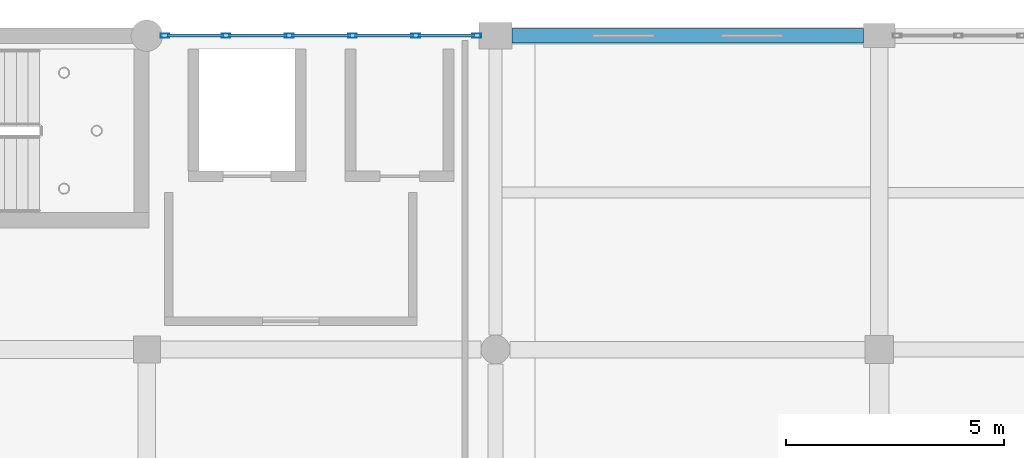
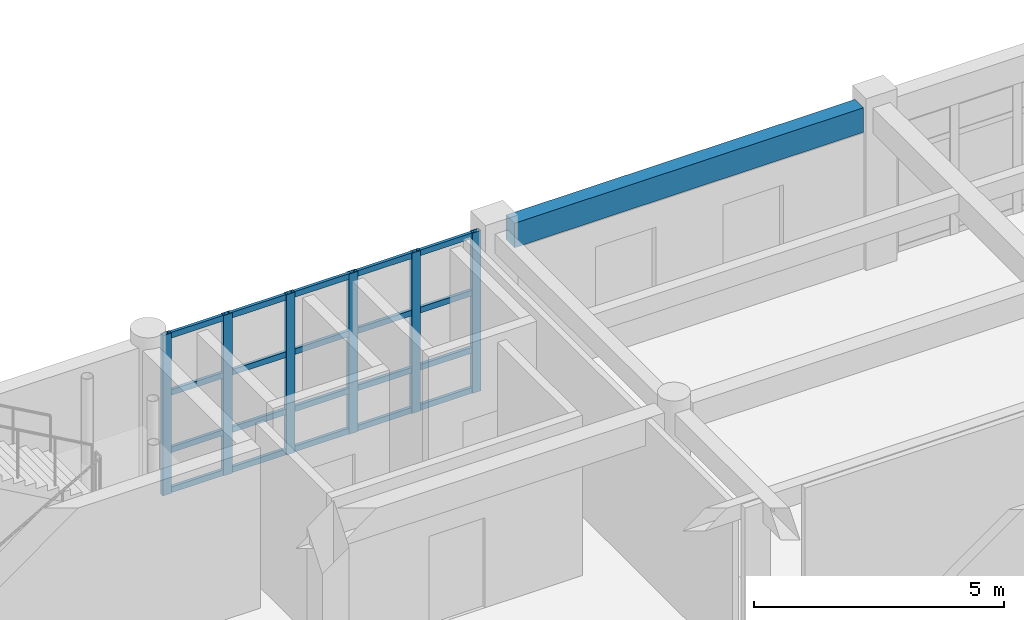
# One storey, part 117 of 195: 26 members, 1 beam, 1 element without a shape of its own.
"""IFC4 building model written with IfcOpenShell, lengths in metres."""

from ifc_helpers import new_model, si_unit, direction, frame, origin, origin_2d, place, context, subcontext, project, spatial, rectangle, hollow_rectangle, extrude, material, material_profile, profile_set, type_object, element, aggregate, save


model = new_model("IFC4")

# Units and contexts
model_context = context("Model", 3, precision=1e-05, world=origin(), true_north=direction((0.0, 1.0)))
body_context = subcontext(model_context, "Body", "Model", "MODEL_VIEW")
ifc_project = project(units=[si_unit("LENGTHUNIT", "METRE"), si_unit("AREAUNIT", "SQUARE_METRE"), si_unit("VOLUMEUNIT", "CUBIC_METRE"), si_unit("PLANEANGLEUNIT", "RADIAN"), si_unit("MASSUNIT", "GRAM", prefix="KILO")], contexts=[model_context])

# Site, building, storey
site_placement = place(None, origin())
site = spatial("IfcSite", under=ifc_project, at=site_placement, CompositionType="ELEMENT")
building_placement = place(site_placement, origin())
building = spatial("IfcBuilding", under=site, at=building_placement, Name="Kharva Crest Polytechnic", CompositionType="ELEMENT")
storey_placement = place(building_placement, frame((0.0, 0.0, 9.0)))
storey = spatial("IfcBuildingStorey", under=building, at=storey_placement, Name="L02", CompositionType="ELEMENT", Elevation=9.0)

# Curtain wall, members
ifc_material_1 = material(Name="Tempered insulated glass", Category="glass")
curtain_wall_type = type_object("IfcCurtainWallType", Name="CW-SYS-LIBRARY", PredefinedType="USERDEFINED", material=ifc_material_1)
curtain_wall_placement = place(storey_placement, origin())
curtain_wall = element("IfcCurtainWall", 1, at=curtain_wall_placement, inside=storey, type_object=curtain_wall_type, Name="L02 Glazed Curtain Wall CW-118", ObjectType="CURTAIN WALL", PredefinedType="USERDEFINED")
ifc_material_2 = material(Name="Steel S355", Category="steel")
ifc_material_profile_1 = material_profile(ifc_material_2, hollow_rectangle(XDim=0.10009765625, YDim=0.199951171875, WallThickness=0.00634765625, at=origin_2d()), Name="RHS 200X100X6.3")
ifc_profile_set_1 = profile_set([ifc_material_profile_1], Name="Steel S355")
member_type_1 = type_object("IfcMemberType", Name="CWM-RHS200X100", PredefinedType="MULLION", material=ifc_profile_set_1)
member_1_placement = place(storey_placement, frame((119.570068359375, 122.0, 0.0), z_axis=(0.0, 0.0, 1.0), x_axis=(0.0, -1.0, 0.0)))
member_1 = element("IfcMember", 2, at=member_1_placement, type_object=member_type_1, Name="CW-118 mullion 1", PredefinedType="MULLION", context=body_context, shape_type="SweptSolid", body=[
    extrude(hollow_rectangle(XDim=0.10009765625, YDim=0.199951171875, WallThickness=0.00634765625, at=origin_2d()), origin(), (0.0, 0.0, 1.0), 3.919921875),
])
member_2_placement = place(storey_placement, frame((118.1689453125, 122.0, 0.0), z_axis=(0.0, 0.0, 1.0), x_axis=(0.0, -1.0, 0.0)))
member_2 = element("IfcMember", 3, at=member_2_placement, type_object=member_type_1, Name="CW-118 mullion 2", PredefinedType="MULLION", context=body_context, shape_type="SweptSolid", body=[
    extrude(hollow_rectangle(XDim=0.10009765625, YDim=0.199951171875, WallThickness=0.00634765625, at=origin_2d()), origin(), (0.0, 0.0, 1.0), 3.919921875),
])
member_3_placement = place(storey_placement, frame((116.718017578125, 122.0, 0.0), z_axis=(0.0, 0.0, 1.0), x_axis=(0.0, -1.0, 0.0)))
member_3 = element("IfcMember", 4, at=member_3_placement, type_object=member_type_1, Name="CW-118 mullion 3", PredefinedType="MULLION", context=body_context, shape_type="SweptSolid", body=[
    extrude(hollow_rectangle(XDim=0.10009765625, YDim=0.199951171875, WallThickness=0.00634765625, at=origin_2d()), origin(), (0.0, 0.0, 1.0), 3.919921875),
])
member_4_placement = place(storey_placement, frame((115.26708984375, 122.0, 0.0), z_axis=(0.0, 0.0, 1.0), x_axis=(0.0, -1.0, 0.0)))
member_4 = element("IfcMember", 5, at=member_4_placement, type_object=member_type_1, Name="CW-118 mullion 4", PredefinedType="MULLION", context=body_context, shape_type="SweptSolid", body=[
    extrude(hollow_rectangle(XDim=0.10009765625, YDim=0.199951171875, WallThickness=0.00634765625, at=origin_2d()), origin(), (0.0, 0.0, 1.0), 3.919921875),
])
member_5_placement = place(storey_placement, frame((113.81591796875, 122.0, 0.0), z_axis=(0.0, 0.0, 1.0), x_axis=(0.0, -1.0, 0.0)))
member_5 = element("IfcMember", 6, at=member_5_placement, type_object=member_type_1, Name="CW-118 mullion 5", PredefinedType="MULLION", context=body_context, shape_type="SweptSolid", body=[
    extrude(hollow_rectangle(XDim=0.10009765625, YDim=0.199951171875, WallThickness=0.00634765625, at=origin_2d()), origin(), (0.0, 0.0, 1.0), 3.919921875),
])
member_6_placement = place(storey_placement, frame((112.4150390625, 122.0, 0.0), z_axis=(0.0, 0.0, 1.0), x_axis=(0.0, -1.0, 0.0)))
member_6 = element("IfcMember", 7, at=member_6_placement, type_object=member_type_1, Name="CW-118 mullion 6", PredefinedType="MULLION", context=body_context, shape_type="SweptSolid", body=[
    extrude(hollow_rectangle(XDim=0.10009765625, YDim=0.199951171875, WallThickness=0.00634765625, at=origin_2d()), origin(), (0.0, 0.0, 1.0), 3.919921875),
])
ifc_material_profile_2 = material_profile(ifc_material_2, hollow_rectangle(XDim=0.070068359375, YDim=0.139892578125, WallThickness=0.00390625, at=origin_2d()), Name="RHS 140X70X4.0")
ifc_profile_set_2 = profile_set([ifc_material_profile_2], Name="Steel S355")
member_type_2 = type_object("IfcMemberType", Name="CWT-RHS140X70", PredefinedType="USERDEFINED", material=ifc_profile_set_2)
member_7_placement = place(storey_placement, frame((119.52001953125, 122.0, 0.070068359375), z_axis=(-1.0, 0.0, 0.0), x_axis=(0.0, -1.0, 0.0)))
member_7 = element("IfcMember", 8, at=member_7_placement, type_object=member_type_2, Name="CW-118 transom 1.1", ObjectType="TRANSOM", PredefinedType="USERDEFINED", context=body_context, shape_type="SweptSolid", body=[
    extrude(hollow_rectangle(XDim=0.070068359375, YDim=0.139892578125, WallThickness=0.00390625, at=origin_2d()), origin(), (0.0, 0.0, 1.0), 1.301025390625),
])
member_8_placement = place(storey_placement, frame((119.52001953125, 122.0, 1.050048828125), z_axis=(-1.0, 0.0, 0.0), x_axis=(0.0, -1.0, 0.0)))
member_8 = element("IfcMember", 9, at=member_8_placement, type_object=member_type_2, Name="CW-118 transom 1.2", ObjectType="TRANSOM", PredefinedType="USERDEFINED", context=body_context, shape_type="SweptSolid", body=[
    extrude(hollow_rectangle(XDim=0.070068359375, YDim=0.139892578125, WallThickness=0.00390625, at=origin_2d()), origin(), (0.0, 0.0, 1.0), 1.301025390625),
])
member_9_placement = place(storey_placement, frame((119.52001953125, 122.0, 2.449951171875), z_axis=(-1.0, 0.0, 0.0), x_axis=(0.0, -1.0, 0.0)))
member_9 = element("IfcMember", 10, at=member_9_placement, type_object=member_type_2, Name="CW-118 transom 1.3", ObjectType="TRANSOM", PredefinedType="USERDEFINED", context=body_context, shape_type="SweptSolid", body=[
    extrude(hollow_rectangle(XDim=0.070068359375, YDim=0.139892578125, WallThickness=0.00390625, at=origin_2d()), origin(), (0.0, 0.0, 1.0), 1.301025390625),
])
member_10_placement = place(storey_placement, frame((119.52001953125, 122.0, 3.85009765625), z_axis=(-1.0, 0.0, 0.0), x_axis=(0.0, -1.0, 0.0)))
member_10 = element("IfcMember", 11, at=member_10_placement, type_object=member_type_2, Name="CW-118 transom 1.4", ObjectType="TRANSOM", PredefinedType="USERDEFINED", context=body_context, shape_type="SweptSolid", body=[
    extrude(hollow_rectangle(XDim=0.070068359375, YDim=0.139892578125, WallThickness=0.00390625, at=origin_2d()), origin(), (0.0, 0.0, 1.0), 1.301025390625),
])
member_11_placement = place(storey_placement, frame((118.118896484375, 122.0, 0.070068359375), z_axis=(-1.0, 0.0, 0.0), x_axis=(0.0, -1.0, 0.0)))
member_11 = element("IfcMember", 12, at=member_11_placement, type_object=member_type_2, Name="CW-118 transom 2.1", ObjectType="TRANSOM", PredefinedType="USERDEFINED", context=body_context, shape_type="SweptSolid", body=[
    extrude(hollow_rectangle(XDim=0.070068359375, YDim=0.139892578125, WallThickness=0.00390625, at=origin_2d()), origin(), (0.0, 0.0, 1.0), 1.350830078125),
])
member_12_placement = place(storey_placement, frame((118.118896484375, 122.0, 1.050048828125), z_axis=(-1.0, 0.0, 0.0), x_axis=(0.0, -1.0, 0.0)))
member_12 = element("IfcMember", 13, at=member_12_placement, type_object=member_type_2, Name="CW-118 transom 2.2", ObjectType="TRANSOM", PredefinedType="USERDEFINED", context=body_context, shape_type="SweptSolid", body=[
    extrude(hollow_rectangle(XDim=0.070068359375, YDim=0.139892578125, WallThickness=0.00390625, at=origin_2d()), origin(), (0.0, 0.0, 1.0), 1.350830078125),
])
member_13_placement = place(storey_placement, frame((118.118896484375, 122.0, 2.449951171875), z_axis=(-1.0, 0.0, 0.0), x_axis=(0.0, -1.0, 0.0)))
member_13 = element("IfcMember", 14, at=member_13_placement, type_object=member_type_2, Name="CW-118 transom 2.3", ObjectType="TRANSOM", PredefinedType="USERDEFINED", context=body_context, shape_type="SweptSolid", body=[
    extrude(hollow_rectangle(XDim=0.070068359375, YDim=0.139892578125, WallThickness=0.00390625, at=origin_2d()), origin(), (0.0, 0.0, 1.0), 1.350830078125),
])
member_14_placement = place(storey_placement, frame((118.118896484375, 122.0, 3.85009765625), z_axis=(-1.0, 0.0, 0.0), x_axis=(0.0, -1.0, 0.0)))
member_14 = element("IfcMember", 15, at=member_14_placement, type_object=member_type_2, Name="CW-118 transom 2.4", ObjectType="TRANSOM", PredefinedType="USERDEFINED", context=body_context, shape_type="SweptSolid", body=[
    extrude(hollow_rectangle(XDim=0.070068359375, YDim=0.139892578125, WallThickness=0.00390625, at=origin_2d()), origin(), (0.0, 0.0, 1.0), 1.350830078125),
])
member_15_placement = place(storey_placement, frame((116.66796875, 122.0, 0.070068359375), z_axis=(-1.0, 0.0, 0.0), x_axis=(0.0, -1.0, 0.0)))
member_15 = element("IfcMember", 16, at=member_15_placement, type_object=member_type_2, Name="CW-118 transom 3.1", ObjectType="TRANSOM", PredefinedType="USERDEFINED", context=body_context, shape_type="SweptSolid", body=[
    extrude(hollow_rectangle(XDim=0.070068359375, YDim=0.139892578125, WallThickness=0.00390625, at=origin_2d()), origin(), (0.0, 0.0, 1.0), 1.35107421875),
])
member_16_placement = place(storey_placement, frame((116.66796875, 122.0, 1.050048828125), z_axis=(-1.0, 0.0, 0.0), x_axis=(0.0, -1.0, 0.0)))
member_16 = element("IfcMember", 17, at=member_16_placement, type_object=member_type_2, Name="CW-118 transom 3.2", ObjectType="TRANSOM", PredefinedType="USERDEFINED", context=body_context, shape_type="SweptSolid", body=[
    extrude(hollow_rectangle(XDim=0.070068359375, YDim=0.139892578125, WallThickness=0.00390625, at=origin_2d()), origin(), (0.0, 0.0, 1.0), 1.35107421875),
])
member_17_placement = place(storey_placement, frame((116.66796875, 122.0, 2.449951171875), z_axis=(-1.0, 0.0, 0.0), x_axis=(0.0, -1.0, 0.0)))
member_17 = element("IfcMember", 18, at=member_17_placement, type_object=member_type_2, Name="CW-118 transom 3.3", ObjectType="TRANSOM", PredefinedType="USERDEFINED", context=body_context, shape_type="SweptSolid", body=[
    extrude(hollow_rectangle(XDim=0.070068359375, YDim=0.139892578125, WallThickness=0.00390625, at=origin_2d()), origin(), (0.0, 0.0, 1.0), 1.35107421875),
])
member_18_placement = place(storey_placement, frame((116.66796875, 122.0, 3.85009765625), z_axis=(-1.0, 0.0, 0.0), x_axis=(0.0, -1.0, 0.0)))
member_18 = element("IfcMember", 19, at=member_18_placement, type_object=member_type_2, Name="CW-118 transom 3.4", ObjectType="TRANSOM", PredefinedType="USERDEFINED", context=body_context, shape_type="SweptSolid", body=[
    extrude(hollow_rectangle(XDim=0.070068359375, YDim=0.139892578125, WallThickness=0.00390625, at=origin_2d()), origin(), (0.0, 0.0, 1.0), 1.35107421875),
])
member_19_placement = place(storey_placement, frame((115.217041015625, 122.0, 0.070068359375), z_axis=(-1.0, 0.0, 0.0), x_axis=(0.0, -1.0, 0.0)))
member_19 = element("IfcMember", 20, at=member_19_placement, type_object=member_type_2, Name="CW-118 transom 4.1", ObjectType="TRANSOM", PredefinedType="USERDEFINED", context=body_context, shape_type="SweptSolid", body=[
    extrude(hollow_rectangle(XDim=0.070068359375, YDim=0.139892578125, WallThickness=0.00390625, at=origin_2d()), origin(), (0.0, 0.0, 1.0), 1.35107421875),
])
member_20_placement = place(storey_placement, frame((115.217041015625, 122.0, 1.050048828125), z_axis=(-1.0, 0.0, 0.0), x_axis=(0.0, -1.0, 0.0)))
member_20 = element("IfcMember", 21, at=member_20_placement, type_object=member_type_2, Name="CW-118 transom 4.2", ObjectType="TRANSOM", PredefinedType="USERDEFINED", context=body_context, shape_type="SweptSolid", body=[
    extrude(hollow_rectangle(XDim=0.070068359375, YDim=0.139892578125, WallThickness=0.00390625, at=origin_2d()), origin(), (0.0, 0.0, 1.0), 1.35107421875),
])
member_21_placement = place(storey_placement, frame((115.217041015625, 122.0, 2.449951171875), z_axis=(-1.0, 0.0, 0.0), x_axis=(0.0, -1.0, 0.0)))
member_21 = element("IfcMember", 22, at=member_21_placement, type_object=member_type_2, Name="CW-118 transom 4.3", ObjectType="TRANSOM", PredefinedType="USERDEFINED", context=body_context, shape_type="SweptSolid", body=[
    extrude(hollow_rectangle(XDim=0.070068359375, YDim=0.139892578125, WallThickness=0.00390625, at=origin_2d()), origin(), (0.0, 0.0, 1.0), 1.35107421875),
])
member_22_placement = place(storey_placement, frame((115.217041015625, 122.0, 3.85009765625), z_axis=(-1.0, 0.0, 0.0), x_axis=(0.0, -1.0, 0.0)))
member_22 = element("IfcMember", 23, at=member_22_placement, type_object=member_type_2, Name="CW-118 transom 4.4", ObjectType="TRANSOM", PredefinedType="USERDEFINED", context=body_context, shape_type="SweptSolid", body=[
    extrude(hollow_rectangle(XDim=0.070068359375, YDim=0.139892578125, WallThickness=0.00390625, at=origin_2d()), origin(), (0.0, 0.0, 1.0), 1.35107421875),
])
member_23_placement = place(storey_placement, frame((113.76611328125, 122.0, 0.070068359375), z_axis=(-1.0, 0.0, 0.0), x_axis=(0.0, -1.0, 0.0)))
member_23 = element("IfcMember", 24, at=member_23_placement, type_object=member_type_2, Name="CW-118 transom 5.1", ObjectType="TRANSOM", PredefinedType="USERDEFINED", context=body_context, shape_type="SweptSolid", body=[
    extrude(hollow_rectangle(XDim=0.070068359375, YDim=0.139892578125, WallThickness=0.00390625, at=origin_2d()), origin(), (0.0, 0.0, 1.0), 1.301025390625),
])
member_24_placement = place(storey_placement, frame((113.76611328125, 122.0, 1.050048828125), z_axis=(-1.0, 0.0, 0.0), x_axis=(0.0, -1.0, 0.0)))
member_24 = element("IfcMember", 25, at=member_24_placement, type_object=member_type_2, Name="CW-118 transom 5.2", ObjectType="TRANSOM", PredefinedType="USERDEFINED", context=body_context, shape_type="SweptSolid", body=[
    extrude(hollow_rectangle(XDim=0.070068359375, YDim=0.139892578125, WallThickness=0.00390625, at=origin_2d()), origin(), (0.0, 0.0, 1.0), 1.301025390625),
])
member_25_placement = place(storey_placement, frame((113.76611328125, 122.0, 2.449951171875), z_axis=(-1.0, 0.0, 0.0), x_axis=(0.0, -1.0, 0.0)))
member_25 = element("IfcMember", 26, at=member_25_placement, type_object=member_type_2, Name="CW-118 transom 5.3", ObjectType="TRANSOM", PredefinedType="USERDEFINED", context=body_context, shape_type="SweptSolid", body=[
    extrude(hollow_rectangle(XDim=0.070068359375, YDim=0.139892578125, WallThickness=0.00390625, at=origin_2d()), origin(), (0.0, 0.0, 1.0), 1.301025390625),
])
member_26_placement = place(storey_placement, frame((113.76611328125, 122.0, 3.85009765625), z_axis=(-1.0, 0.0, 0.0), x_axis=(0.0, -1.0, 0.0)))
member_26 = element("IfcMember", 27, at=member_26_placement, type_object=member_type_2, Name="CW-118 transom 5.4", ObjectType="TRANSOM", PredefinedType="USERDEFINED", context=body_context, shape_type="SweptSolid", body=[
    extrude(hollow_rectangle(XDim=0.070068359375, YDim=0.139892578125, WallThickness=0.00390625, at=origin_2d()), origin(), (0.0, 0.0, 1.0), 1.301025390625),
])
aggregate(curtain_wall, [member_1, member_2, member_3, member_4, member_5, member_6, member_7, member_8, member_9, member_10, member_11, member_12, member_13, member_14, member_15, member_16, member_17, member_18, member_19, member_20, member_21, member_22, member_23, member_24, member_25, member_26])

# Beam
ifc_material_3 = material(Name="Concrete C35/45", Category="concrete")
ifc_material_profile_3 = material_profile(ifc_material_3, rectangle(XDim=0.340087890625, YDim=0.60009765625, at=origin_2d()), Name="RECT 340 X 600")
ifc_profile_set_3 = profile_set([ifc_material_profile_3], Name="Concrete C35/45")
beam_type = type_object("IfcBeamType", Name="SP-RC-340X600", PredefinedType="SPANDREL", material=ifc_profile_set_3)
beam_placement = place(storey_placement, frame((120.375, 122.0, 3.6201171875), z_axis=(1.0, 0.0, 0.0), x_axis=(0.0, 1.0, 0.0)))
element("IfcBeam", 28, at=beam_placement, inside=storey, type_object=beam_type, Name="L02 Beam S/16-17", PredefinedType="SPANDREL", context=body_context, shape_type="SweptSolid", body=[
    extrude(rectangle(XDim=0.340087890625, YDim=0.60009765625, at=origin_2d()), origin(), (0.0, 0.0, 1.0), 8.06494140625),
])

save(model, "model.ifc")
